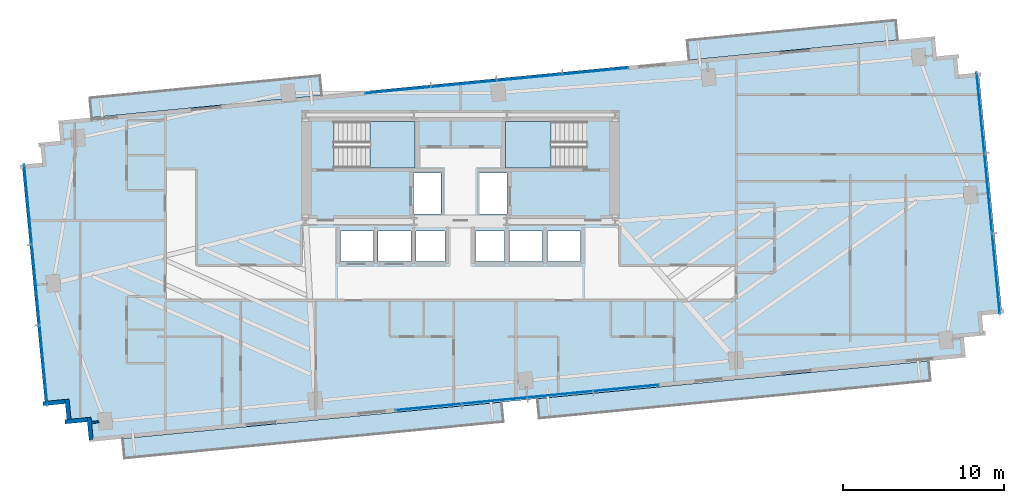
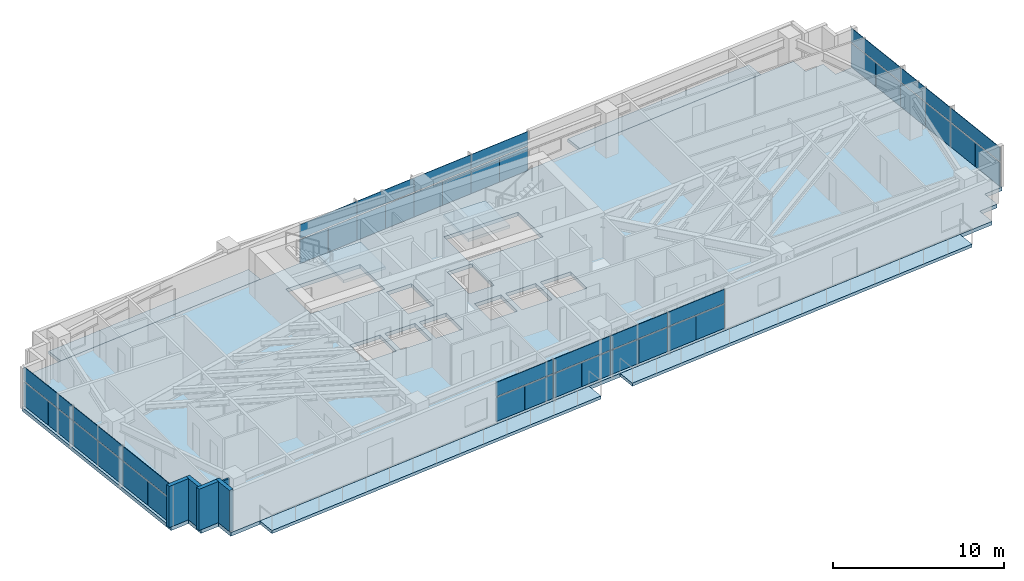
# One storey, part 20 of 27: 42 plates, 7 slabs, 5 walls, 6 elements without a shape of their own.
"""IFC4 building model written with IfcOpenShell, lengths in metres."""

from ifc_helpers import new_model, si_unit, direction, frame, frame_2d, origin, origin_2d, place, context, subcontext, project, spatial, polyline, rectangle, outline, extrude, source, transform, mapped, material, layer, layer_set, type_object, type_shapes, element, aggregate, save


model = new_model("IFC4")

# Units and contexts
model_context = context("Model", 3, precision=1e-05, world=origin(), true_north=direction((0.0, 1.0)))
body_context = subcontext(model_context, "Body", "Model", "MODEL_VIEW")
ifc_project = project(units=[si_unit("LENGTHUNIT", "METRE"), si_unit("AREAUNIT", "SQUARE_METRE"), si_unit("VOLUMEUNIT", "CUBIC_METRE"), si_unit("PLANEANGLEUNIT", "RADIAN"), si_unit("MASSUNIT", "GRAM", prefix="KILO")], contexts=[model_context])

# Site, building, storey
site_placement = place(None, origin())
site = spatial("IfcSite", under=ifc_project, at=site_placement, CompositionType="ELEMENT")
building_placement = place(site_placement, origin())
building = spatial("IfcBuilding", under=site, at=building_placement, Name="Astriad Promenade Condominiums", CompositionType="ELEMENT")
storey_placement = place(building_placement, frame((0.0, 0.0, 87.39990234375)))
storey = spatial("IfcBuildingStorey", under=building, at=storey_placement, Name="L24", CompositionType="ELEMENT", Elevation=87.39990234375)

# Slab
ifc_material_1 = material(Name="Concrete C50/60", Category="concrete")
ifc_layer_1 = layer(ifc_material_1, 0.260009765625)
ifc_layer_set_1 = layer_set([ifc_layer_1], Name="Concrete C50/60")
slab_type_1 = type_object("IfcSlabType", Name="CONCRETE TOWER FLOOR SLAB 260", PredefinedType="FLOOR", material=ifc_layer_set_1)
slab_1_placement = place(storey_placement, frame((0.0, 0.0, -0.260009765625)))
element("IfcSlab", 1, at=slab_1_placement, inside=storey, type_object=slab_type_1, Name="Structural Floor Slab (L24)", PredefinedType="FLOOR", context=body_context, shape_type="SweptSolid", body=[
    extrude(outline(polyline([(12.984130859375, 3.7294921875), (67.332763671875, 8.962646484375), (67.212890625, 10.206787109375), (68.457275390625, 10.32666015625), (68.33740234375, 11.57080078125), (69.58154296875, 11.690673828125), (68.14404296875, 26.62158203125), (66.899658203125, 26.501953125), (66.77978515625, 27.74609375), (65.53564453125, 27.626220703125), (65.416015625, 28.87060546875), (11.067138671875, 23.637451171875), (11.18701171875, 22.39306640625), (9.94287109375, 22.273193359375), (10.0625, 21.029052734375), (8.818359375, 20.9091796875), (10.256103515625, 5.978271484375), (11.500244140625, 6.09814453125), (11.6201171875, 4.85400390625), (12.8642578125, 4.9736328125), (12.984130859375, 3.7294921875)]), holes=[polyline([(28.175048828125, 20.699951171875), (33.175048828125, 20.699951171875), (33.175048828125, 23.60009765625), (28.175048828125, 23.60009765625), (28.175048828125, 20.699951171875)]), polyline([(38.824951171875, 20.699951171875), (43.824951171875, 20.699951171875), (43.824951171875, 23.60009765625), (38.824951171875, 23.60009765625), (38.824951171875, 20.699951171875)]), polyline([(33.10009765625, 17.85009765625), (34.800048828125, 17.85009765625), (34.800048828125, 20.39990234375), (33.10009765625, 20.39990234375), (33.10009765625, 17.85009765625)]), polyline([(37.199951171875, 17.85009765625), (38.89990234375, 17.85009765625), (38.89990234375, 20.39990234375), (37.199951171875, 20.39990234375), (37.199951171875, 17.85009765625)]), polyline([(28.550048828125, 14.89990234375), (30.60009765625, 14.89990234375), (30.60009765625, 16.800048828125), (28.550048828125, 16.800048828125), (28.550048828125, 14.89990234375)]), polyline([(30.89990234375, 14.89990234375), (32.949951171875, 14.89990234375), (32.949951171875, 16.800048828125), (30.89990234375, 16.800048828125), (30.89990234375, 14.89990234375)]), polyline([(33.25, 14.89990234375), (35.050048828125, 14.89990234375), (35.050048828125, 16.800048828125), (33.25, 16.800048828125), (33.25, 14.89990234375)]), polyline([(36.949951171875, 14.89990234375), (38.75, 14.89990234375), (38.75, 16.800048828125), (36.949951171875, 16.800048828125), (36.949951171875, 14.89990234375)]), polyline([(39.050048828125, 14.89990234375), (41.10009765625, 14.89990234375), (41.10009765625, 16.800048828125), (39.050048828125, 16.800048828125), (39.050048828125, 14.89990234375)]), polyline([(41.39990234375, 14.89990234375), (43.449951171875, 14.89990234375), (43.449951171875, 16.800048828125), (41.39990234375, 16.800048828125), (41.39990234375, 14.89990234375)])]), origin(), (0.0, 0.0, 1.0), 0.260009765625),
])

# Stair, slab
stair_type = type_object("IfcStairType", Name="STR-CORE-1350", PredefinedType="HALF_TURN_STAIR", material=ifc_material_1)
stair_1_placement = place(storey_placement, origin())
stair_1 = element("IfcStair", 2, at=stair_1_placement, inside=storey, type_object=stair_type, Name="L24 Enclosed Core Exit Stair ST-1", PredefinedType="HALF_TURN_STAIR")
ifc_layer_2 = layer(ifc_material_1, 0.219970703125)
ifc_layer_set_2 = layer_set([ifc_layer_2], Name="Concrete C50/60")
slab_type_2 = type_object("IfcSlabType", Name="SLB-LANDING-220", PredefinedType="LANDING", material=ifc_layer_set_2)
slab_2_placement = place(storey_placement, frame((0.0, 0.0, 1.400146484375)))
slab_2 = element("IfcSlab", 3, at=slab_2_placement, type_object=slab_type_2, Name="ST-1 landing 1", PredefinedType="LANDING", context=body_context, shape_type="SweptSolid", body=[
    extrude(outline(polyline([(30.389892578125, 20.699951171875), (33.199951171875, 20.699951171875), (33.199951171875, 23.60009765625), (30.389892578125, 23.60009765625), (30.389892578125, 20.699951171875)])), origin(), (0.0, 0.0, 1.0), 0.199951171875),
])
aggregate(stair_1, [slab_2])

stair_2_placement = place(storey_placement, origin())
stair_2 = element("IfcStair", 4, at=stair_2_placement, inside=storey, type_object=stair_type, Name="L24 Enclosed Core Exit Stair ST-2", PredefinedType="HALF_TURN_STAIR")
slab_3_placement = place(storey_placement, frame((0.0, 0.0, 1.400146484375)))
slab_3 = element("IfcSlab", 5, at=slab_3_placement, type_object=slab_type_2, Name="ST-2 landing 1", PredefinedType="LANDING", context=body_context, shape_type="SweptSolid", body=[
    extrude(outline(polyline([(41.610107421875, 23.60009765625), (38.800048828125, 23.60009765625), (38.800048828125, 20.699951171875), (41.610107421875, 20.699951171875), (41.610107421875, 23.60009765625)])), origin(), (0.0, 0.0, 1.0), 0.199951171875),
])
aggregate(stair_2, [slab_3])

# Slabs
ifc_material_2 = material(Name="Precast concrete C50/60", Category="concrete")
ifc_layer_3 = layer(ifc_material_2, 0.219970703125)
ifc_layer_set_3 = layer_set([ifc_layer_3], Name="Precast concrete C50/60")
slab_type_3 = type_object("IfcSlabType", Name="WHITE PRECAST CONCRETE WAVE BALCONY SLAB 220", PredefinedType="FLOOR", material=ifc_layer_set_3)
slab_4_placement = place(storey_placement, frame((0.0, 0.0, -0.219970703125)))
element("IfcSlab", 6, at=slab_4_placement, inside=storey, type_object=slab_type_3, Name="White Precast Wave Balcony Slab BAL-L24-SW", PredefinedType="FLOOR", context=body_context, shape_type="SweptSolid", body=[
    extrude(outline(polyline([(38.664794921875, 4.9765625), (15.174560546875, 2.714599609375), (15.057861328125, 3.927001953125), (38.548095703125, 6.18896484375), (38.664794921875, 4.9765625)])), origin(), (0.0, 0.0, 1.0), 0.219970703125),
])
slab_5_placement = place(storey_placement, frame((0.0, 0.0, -0.219970703125)))
element("IfcSlab", 7, at=slab_5_placement, inside=storey, type_object=slab_type_3, Name="White Precast Wave Balcony Slab BAL-L24-SE", PredefinedType="FLOOR", context=body_context, shape_type="SweptSolid", body=[
    extrude(outline(polyline([(65.1494140625, 7.526611328125), (40.8955078125, 5.19140625), (40.77880859375, 6.40380859375), (65.03271484375, 8.739013671875), (65.1494140625, 7.526611328125)])), origin(), (0.0, 0.0, 1.0), 0.219970703125),
])
slab_6_placement = place(storey_placement, frame((0.0, 0.0, -0.219970703125)))
element("IfcSlab", 8, at=slab_6_placement, inside=storey, type_object=slab_type_3, Name="White Precast Wave Balcony Slab BAL-L24-NW", PredefinedType="FLOOR", context=body_context, shape_type="SweptSolid", body=[
    extrude(outline(polyline([(13.023681640625, 25.051513671875), (27.28466796875, 26.424560546875), (27.401611328125, 25.212158203125), (13.140380859375, 23.839111328125), (13.023681640625, 25.051513671875)])), origin(), (0.0, 0.0, 1.0), 0.219970703125),
])
slab_7_placement = place(storey_placement, frame((0.0, 0.0, -0.219970703125)))
element("IfcSlab", 9, at=slab_7_placement, inside=storey, type_object=slab_type_3, Name="White Precast Wave Balcony Slab BAL-L24-NE", PredefinedType="FLOOR", context=body_context, shape_type="SweptSolid", body=[
    extrude(outline(polyline([(50.0693359375, 28.618408203125), (62.99853515625, 29.86328125), (63.115234375, 28.651123046875), (50.18603515625, 27.406005859375), (50.0693359375, 28.618408203125)])), origin(), (0.0, 0.0, 1.0), 0.219970703125),
])

# Curtain wall, plates
ifc_material_3 = material(Name="Anodised aluminium Black Dark Glass Unitised", Category="aluminium")
curtain_wall_type = type_object("IfcCurtainWallType", Name="CW-B2-DARK", PredefinedType="USERDEFINED", material=ifc_material_3)
curtain_wall_1_placement = place(storey_placement, origin())
curtain_wall_1 = element("IfcCurtainWall", 10, at=curtain_wall_1_placement, inside=storey, type_object=curtain_wall_type, Name="CW-L24-W", ObjectType="UNITISED_CURTAIN_WALL", PredefinedType="USERDEFINED")
ifc_material_4 = material(Name="Dark Tinted Low-E Laminated Glass", Category="glass")
ifc_layer_4 = layer(ifc_material_4, 0.035888671875)
ifc_layer_set_4 = layer_set([ifc_layer_4], Name="Dark Tinted Low-E Laminated Glass")
plate_type = type_object("IfcPlateType", Name="PNL-DARK-GLASS-36", PredefinedType="CURTAIN_PANEL", material=ifc_layer_set_4)
shared_shape_1 = source(origin(), body_context, "Body", "SweptSolid", [
    extrude(rectangle(XDim=2.488037109375, YDim=0.035888671875, at=origin_2d()), origin(), (0.0, 0.0, 1.0), 1.702880859375),
])
plate_1_placement = place(storey_placement, frame((10.265625, 7.235107421875, 0.080078125), z_axis=(0.0, 0.0, 1.0), x_axis=(-0.09584575252, 0.995396198367, 0.0)))
plate_1 = element("IfcPlate", 11, at=plate_1_placement, type_object=plate_type, Name="CW-L24-W-PNL-00-VL", PredefinedType="CURTAIN_PANEL", context=body_context, shape_type="MappedRepresentation", body=[
    mapped(shared_shape_1, transform((0.0, 0.0, 0.0), scale=1.0)),
])
plate_2_placement = place(storey_placement, frame((10.02587890625, 9.723388671875, 0.080078125), z_axis=(0.0, 0.0, 1.0), x_axis=(-0.09584575252, 0.995396198367, 0.0)))
plate_2 = element("IfcPlate", 12, at=plate_2_placement, type_object=plate_type, Name="CW-L24-W-PNL-00-VR", PredefinedType="CURTAIN_PANEL", context=body_context, shape_type="MappedRepresentation", body=[
    mapped(shared_shape_1, transform((0.0, 0.0, 0.0), scale=1.0)),
])
plate_3_placement = place(storey_placement, frame((9.786376953125, 12.212158203125, 0.080078125), z_axis=(0.0, 0.0, 1.0), x_axis=(-0.09584575252, 0.995396198367, 0.0)))
plate_3 = element("IfcPlate", 13, at=plate_3_placement, type_object=plate_type, Name="CW-L24-W-PNL-01-VL", PredefinedType="CURTAIN_PANEL", context=body_context, shape_type="MappedRepresentation", body=[
    mapped(shared_shape_1, transform((0.0, 0.0, 0.0), scale=1.0)),
])
plate_4_placement = place(storey_placement, frame((9.546875, 14.700439453125, 0.080078125), z_axis=(0.0, 0.0, 1.0), x_axis=(-0.09584575252, 0.995396198367, 0.0)))
plate_4 = element("IfcPlate", 14, at=plate_4_placement, type_object=plate_type, Name="CW-L24-W-PNL-01-VR", PredefinedType="CURTAIN_PANEL", context=body_context, shape_type="MappedRepresentation", body=[
    mapped(shared_shape_1, transform((0.0, 0.0, 0.0), scale=1.0)),
])
plate_5_placement = place(storey_placement, frame((9.30712890625, 17.189208984375, 0.080078125), z_axis=(0.0, 0.0, 1.0), x_axis=(-0.09584575252, 0.995396198367, 0.0)))
plate_5 = element("IfcPlate", 15, at=plate_5_placement, type_object=plate_type, Name="CW-L24-W-PNL-02-VL", PredefinedType="CURTAIN_PANEL", context=body_context, shape_type="MappedRepresentation", body=[
    mapped(shared_shape_1, transform((0.0, 0.0, 0.0), scale=1.0)),
])
plate_6_placement = place(storey_placement, frame((9.067626953125, 19.677490234375, 0.080078125), z_axis=(0.0, 0.0, 1.0), x_axis=(-0.09584575252, 0.995396198367, 0.0)))
plate_6 = element("IfcPlate", 16, at=plate_6_placement, type_object=plate_type, Name="CW-L24-W-PNL-02-VR", PredefinedType="CURTAIN_PANEL", context=body_context, shape_type="MappedRepresentation", body=[
    mapped(shared_shape_1, transform((0.0, 0.0, 0.0), scale=1.0)),
])

curtain_wall_2_placement = place(storey_placement, origin())
curtain_wall_2 = element("IfcCurtainWall", 17, at=curtain_wall_2_placement, inside=storey, type_object=curtain_wall_type, Name="CW-L24-E", ObjectType="UNITISED_CURTAIN_WALL", PredefinedType="USERDEFINED")
plate_7_placement = place(storey_placement, frame((68.134521484375, 25.364990234375, 0.080078125), z_axis=(0.0, 0.0, 1.0), x_axis=(0.09584575252, -0.995396198367, 0.0)))
plate_7 = element("IfcPlate", 18, at=plate_7_placement, type_object=plate_type, Name="CW-L24-E-PNL-00-VL", PredefinedType="CURTAIN_PANEL", context=body_context, shape_type="MappedRepresentation", body=[
    mapped(shared_shape_1, transform((0.0, 0.0, 0.0), scale=1.0)),
])
plate_8_placement = place(storey_placement, frame((68.3740234375, 22.87646484375, 0.080078125), z_axis=(0.0, 0.0, 1.0), x_axis=(0.09584575252, -0.995396198367, 0.0)))
plate_8 = element("IfcPlate", 19, at=plate_8_placement, type_object=plate_type, Name="CW-L24-E-PNL-00-VR", PredefinedType="CURTAIN_PANEL", context=body_context, shape_type="MappedRepresentation", body=[
    mapped(shared_shape_1, transform((0.0, 0.0, 0.0), scale=1.0)),
])
plate_9_placement = place(storey_placement, frame((68.613525390625, 20.387939453125, 0.080078125), z_axis=(0.0, 0.0, 1.0), x_axis=(0.09584575252, -0.995396198367, 0.0)))
plate_9 = element("IfcPlate", 20, at=plate_9_placement, type_object=plate_type, Name="CW-L24-E-PNL-01-VL", PredefinedType="CURTAIN_PANEL", context=body_context, shape_type="MappedRepresentation", body=[
    mapped(shared_shape_1, transform((0.0, 0.0, 0.0), scale=1.0)),
])
plate_10_placement = place(storey_placement, frame((68.853271484375, 17.8994140625, 0.080078125), z_axis=(0.0, 0.0, 1.0), x_axis=(0.09584575252, -0.995396198367, 0.0)))
plate_10 = element("IfcPlate", 21, at=plate_10_placement, type_object=plate_type, Name="CW-L24-E-PNL-01-VR", PredefinedType="CURTAIN_PANEL", context=body_context, shape_type="MappedRepresentation", body=[
    mapped(shared_shape_1, transform((0.0, 0.0, 0.0), scale=1.0)),
])
plate_11_placement = place(storey_placement, frame((69.0927734375, 15.410888671875, 0.080078125), z_axis=(0.0, 0.0, 1.0), x_axis=(0.09584575252, -0.995396198367, 0.0)))
plate_11 = element("IfcPlate", 22, at=plate_11_placement, type_object=plate_type, Name="CW-L24-E-PNL-02-VL", PredefinedType="CURTAIN_PANEL", context=body_context, shape_type="MappedRepresentation", body=[
    mapped(shared_shape_1, transform((0.0, 0.0, 0.0), scale=1.0)),
])
plate_12_placement = place(storey_placement, frame((69.33251953125, 12.922607421875, 0.080078125), z_axis=(0.0, 0.0, 1.0), x_axis=(0.09584575252, -0.995396198367, 0.0)))
plate_12 = element("IfcPlate", 23, at=plate_12_placement, type_object=plate_type, Name="CW-L24-E-PNL-02-VR", PredefinedType="CURTAIN_PANEL", context=body_context, shape_type="MappedRepresentation", body=[
    mapped(shared_shape_1, transform((0.0, 0.0, 0.0), scale=1.0)),
])

# Plate
shared_shape_2 = source(origin(), body_context, "Body", "SweptSolid", [
    extrude(rectangle(XDim=4.988037109375, YDim=0.035888671875, at=origin_2d()), origin(), (0.0, 0.0, 1.0), 0.997314453125),
])
plate_13_placement = place(storey_placement, frame((10.145751953125, 8.479248046875, 1.86279296875), z_axis=(0.0, 0.0, 1.0), x_axis=(-0.09584575252, 0.995396198367, 0.0)))
plate_13 = element("IfcPlate", 24, at=plate_13_placement, type_object=plate_type, Name="CW-L24-W-PNL-00-S", PredefinedType="CURTAIN_PANEL", context=body_context, shape_type="MappedRepresentation", body=[
    mapped(shared_shape_2, transform((0.0, 0.0, 0.0), scale=1.0)),
])

plate_14_placement = place(storey_placement, frame((9.66650390625, 13.456298828125, 1.86279296875), z_axis=(0.0, 0.0, 1.0), x_axis=(-0.09584575252, 0.995396198367, 0.0)))
plate_14 = element("IfcPlate", 25, at=plate_14_placement, type_object=plate_type, Name="CW-L24-W-PNL-01-S", PredefinedType="CURTAIN_PANEL", context=body_context, shape_type="MappedRepresentation", body=[
    mapped(shared_shape_2, transform((0.0, 0.0, 0.0), scale=1.0)),
])

plate_15_placement = place(storey_placement, frame((9.1875, 18.433349609375, 1.86279296875), z_axis=(0.0, 0.0, 1.0), x_axis=(-0.09584575252, 0.995396198367, 0.0)))
plate_15 = element("IfcPlate", 26, at=plate_15_placement, type_object=plate_type, Name="CW-L24-W-PNL-02-S", PredefinedType="CURTAIN_PANEL", context=body_context, shape_type="MappedRepresentation", body=[
    mapped(shared_shape_2, transform((0.0, 0.0, 0.0), scale=1.0)),
])

aggregate(curtain_wall_1, [plate_1, plate_2, plate_13, plate_3, plate_4, plate_14, plate_5, plate_6, plate_15])

plate_16_placement = place(storey_placement, frame((68.254150390625, 24.12060546875, 1.86279296875), z_axis=(0.0, 0.0, 1.0), x_axis=(0.09584575252, -0.995396198367, 0.0)))
plate_16 = element("IfcPlate", 27, at=plate_16_placement, type_object=plate_type, Name="CW-L24-E-PNL-00-S", PredefinedType="CURTAIN_PANEL", context=body_context, shape_type="MappedRepresentation", body=[
    mapped(shared_shape_2, transform((0.0, 0.0, 0.0), scale=1.0)),
])

plate_17_placement = place(storey_placement, frame((68.7333984375, 19.143798828125, 1.86279296875), z_axis=(0.0, 0.0, 1.0), x_axis=(0.09584575252, -0.995396198367, 0.0)))
plate_17 = element("IfcPlate", 28, at=plate_17_placement, type_object=plate_type, Name="CW-L24-E-PNL-01-S", PredefinedType="CURTAIN_PANEL", context=body_context, shape_type="MappedRepresentation", body=[
    mapped(shared_shape_2, transform((0.0, 0.0, 0.0), scale=1.0)),
])

plate_18_placement = place(storey_placement, frame((69.212646484375, 14.166748046875, 1.86279296875), z_axis=(0.0, 0.0, 1.0), x_axis=(0.09584575252, -0.995396198367, 0.0)))
plate_18 = element("IfcPlate", 29, at=plate_18_placement, type_object=plate_type, Name="CW-L24-E-PNL-02-S", PredefinedType="CURTAIN_PANEL", context=body_context, shape_type="MappedRepresentation", body=[
    mapped(shared_shape_2, transform((0.0, 0.0, 0.0), scale=1.0)),
])

aggregate(curtain_wall_2, [plate_7, plate_8, plate_16, plate_9, plate_10, plate_17, plate_11, plate_12, plate_18])

# Curtain wall, plates
curtain_wall_3_placement = place(storey_placement, origin())
curtain_wall_3 = element("IfcCurtainWall", 30, at=curtain_wall_3_placement, inside=storey, type_object=curtain_wall_type, Name="CW-L24-N", ObjectType="UNITISED_CURTAIN_WALL", PredefinedType="USERDEFINED")
shared_shape_3 = source(origin(), body_context, "Body", "SweptSolid", [
    extrude(rectangle(XDim=2.035400390625, YDim=0.035888671875, at=origin_2d()), origin(), (0.0, 0.0, 1.0), 1.702880859375),
])
plate_19_placement = place(storey_placement, frame((31.12060546875, 25.437744140625, 0.080078125), z_axis=(0.0, 0.0, 1.0), x_axis=(0.995396198367, 0.09584575252, 0.0)))
plate_19 = element("IfcPlate", 31, at=plate_19_placement, type_object=plate_type, Name="CW-L24-N-PNL-00-VL", PredefinedType="CURTAIN_PANEL", context=body_context, shape_type="MappedRepresentation", body=[
    mapped(shared_shape_3, transform((0.0, 0.0, 0.0), scale=1.0)),
])
plate_20_placement = place(storey_placement, frame((33.15869140625, 25.634033203125, 0.080078125), z_axis=(0.0, 0.0, 1.0), x_axis=(0.995396198367, 0.09584575252, 0.0)))
plate_20 = element("IfcPlate", 32, at=plate_20_placement, type_object=plate_type, Name="CW-L24-N-PNL-00-VR", PredefinedType="CURTAIN_PANEL", context=body_context, shape_type="MappedRepresentation", body=[
    mapped(shared_shape_3, transform((0.0, 0.0, 0.0), scale=1.0)),
])
plate_21_placement = place(storey_placement, frame((35.19677734375, 25.830078125, 0.080078125), z_axis=(0.0, 0.0, 1.0), x_axis=(0.995396198367, 0.09584575252, 0.0)))
plate_21 = element("IfcPlate", 33, at=plate_21_placement, type_object=plate_type, Name="CW-L24-N-PNL-01-VL", PredefinedType="CURTAIN_PANEL", context=body_context, shape_type="MappedRepresentation", body=[
    mapped(shared_shape_3, transform((0.0, 0.0, 0.0), scale=1.0)),
])
plate_22_placement = place(storey_placement, frame((37.23486328125, 26.026611328125, 0.080078125), z_axis=(0.0, 0.0, 1.0), x_axis=(0.995396198367, 0.09584575252, 0.0)))
plate_22 = element("IfcPlate", 34, at=plate_22_placement, type_object=plate_type, Name="CW-L24-N-PNL-01-VR", PredefinedType="CURTAIN_PANEL", context=body_context, shape_type="MappedRepresentation", body=[
    mapped(shared_shape_3, transform((0.0, 0.0, 0.0), scale=1.0)),
])
plate_23_placement = place(storey_placement, frame((39.27294921875, 26.22265625, 0.080078125), z_axis=(0.0, 0.0, 1.0), x_axis=(0.995396198367, 0.09584575252, 0.0)))
plate_23 = element("IfcPlate", 35, at=plate_23_placement, type_object=plate_type, Name="CW-L24-N-PNL-02-VL", PredefinedType="CURTAIN_PANEL", context=body_context, shape_type="MappedRepresentation", body=[
    mapped(shared_shape_3, transform((0.0, 0.0, 0.0), scale=1.0)),
])
plate_24_placement = place(storey_placement, frame((41.31103515625, 26.4189453125, 0.080078125), z_axis=(0.0, 0.0, 1.0), x_axis=(0.995396198367, 0.09584575252, 0.0)))
plate_24 = element("IfcPlate", 36, at=plate_24_placement, type_object=plate_type, Name="CW-L24-N-PNL-02-VR", PredefinedType="CURTAIN_PANEL", context=body_context, shape_type="MappedRepresentation", body=[
    mapped(shared_shape_3, transform((0.0, 0.0, 0.0), scale=1.0)),
])
plate_25_placement = place(storey_placement, frame((43.34912109375, 26.615234375, 0.080078125), z_axis=(0.0, 0.0, 1.0), x_axis=(0.995396198367, 0.09584575252, 0.0)))
plate_25 = element("IfcPlate", 37, at=plate_25_placement, type_object=plate_type, Name="CW-L24-N-PNL-03-VL", PredefinedType="CURTAIN_PANEL", context=body_context, shape_type="MappedRepresentation", body=[
    mapped(shared_shape_3, transform((0.0, 0.0, 0.0), scale=1.0)),
])
plate_26_placement = place(storey_placement, frame((45.38720703125, 26.8115234375, 0.080078125), z_axis=(0.0, 0.0, 1.0), x_axis=(0.995396198367, 0.09584575252, 0.0)))
plate_26 = element("IfcPlate", 38, at=plate_26_placement, type_object=plate_type, Name="CW-L24-N-PNL-03-VR", PredefinedType="CURTAIN_PANEL", context=body_context, shape_type="MappedRepresentation", body=[
    mapped(shared_shape_3, transform((0.0, 0.0, 0.0), scale=1.0)),
])

curtain_wall_4_placement = place(storey_placement, origin())
curtain_wall_4 = element("IfcCurtainWall", 39, at=curtain_wall_4_placement, inside=storey, type_object=curtain_wall_type, Name="CW-L24-S", ObjectType="UNITISED_CURTAIN_WALL", PredefinedType="USERDEFINED")
plate_27_placement = place(storey_placement, frame((47.279296875, 7.162353515625, 0.080078125), z_axis=(0.0, 0.0, 1.0), x_axis=(-0.995396198367, -0.09584575252, 0.0)))
plate_27 = element("IfcPlate", 40, at=plate_27_placement, type_object=plate_type, Name="CW-L24-S-PNL-00-VL", PredefinedType="CURTAIN_PANEL", context=body_context, shape_type="MappedRepresentation", body=[
    mapped(shared_shape_3, transform((0.0, 0.0, 0.0), scale=1.0)),
])
plate_28_placement = place(storey_placement, frame((45.2412109375, 6.966064453125, 0.080078125), z_axis=(0.0, 0.0, 1.0), x_axis=(-0.995396198367, -0.09584575252, 0.0)))
plate_28 = element("IfcPlate", 41, at=plate_28_placement, type_object=plate_type, Name="CW-L24-S-PNL-00-VR", PredefinedType="CURTAIN_PANEL", context=body_context, shape_type="MappedRepresentation", body=[
    mapped(shared_shape_3, transform((0.0, 0.0, 0.0), scale=1.0)),
])
plate_29_placement = place(storey_placement, frame((43.203125, 6.769775390625, 0.080078125), z_axis=(0.0, 0.0, 1.0), x_axis=(-0.995396198367, -0.09584575252, 0.0)))
plate_29 = element("IfcPlate", 42, at=plate_29_placement, type_object=plate_type, Name="CW-L24-S-PNL-01-VL", PredefinedType="CURTAIN_PANEL", context=body_context, shape_type="MappedRepresentation", body=[
    mapped(shared_shape_3, transform((0.0, 0.0, 0.0), scale=1.0)),
])
plate_30_placement = place(storey_placement, frame((41.1650390625, 6.573486328125, 0.080078125), z_axis=(0.0, 0.0, 1.0), x_axis=(-0.995396198367, -0.09584575252, 0.0)))
plate_30 = element("IfcPlate", 43, at=plate_30_placement, type_object=plate_type, Name="CW-L24-S-PNL-01-VR", PredefinedType="CURTAIN_PANEL", context=body_context, shape_type="MappedRepresentation", body=[
    mapped(shared_shape_3, transform((0.0, 0.0, 0.0), scale=1.0)),
])
plate_31_placement = place(storey_placement, frame((39.126953125, 6.377197265625, 0.080078125), z_axis=(0.0, 0.0, 1.0), x_axis=(-0.995396198367, -0.09584575252, 0.0)))
plate_31 = element("IfcPlate", 44, at=plate_31_placement, type_object=plate_type, Name="CW-L24-S-PNL-02-VL", PredefinedType="CURTAIN_PANEL", context=body_context, shape_type="MappedRepresentation", body=[
    mapped(shared_shape_3, transform((0.0, 0.0, 0.0), scale=1.0)),
])
plate_32_placement = place(storey_placement, frame((37.0888671875, 6.180908203125, 0.080078125), z_axis=(0.0, 0.0, 1.0), x_axis=(-0.995396198367, -0.09584575252, 0.0)))
plate_32 = element("IfcPlate", 45, at=plate_32_placement, type_object=plate_type, Name="CW-L24-S-PNL-02-VR", PredefinedType="CURTAIN_PANEL", context=body_context, shape_type="MappedRepresentation", body=[
    mapped(shared_shape_3, transform((0.0, 0.0, 0.0), scale=1.0)),
])
plate_33_placement = place(storey_placement, frame((35.05078125, 5.98486328125, 0.080078125), z_axis=(0.0, 0.0, 1.0), x_axis=(-0.995396198367, -0.09584575252, 0.0)))
plate_33 = element("IfcPlate", 46, at=plate_33_placement, type_object=plate_type, Name="CW-L24-S-PNL-03-VL", PredefinedType="CURTAIN_PANEL", context=body_context, shape_type="MappedRepresentation", body=[
    mapped(shared_shape_3, transform((0.0, 0.0, 0.0), scale=1.0)),
])
plate_34_placement = place(storey_placement, frame((33.0126953125, 5.78857421875, 0.080078125), z_axis=(0.0, 0.0, 1.0), x_axis=(-0.995396198367, -0.09584575252, 0.0)))
plate_34 = element("IfcPlate", 47, at=plate_34_placement, type_object=plate_type, Name="CW-L24-S-PNL-03-VR", PredefinedType="CURTAIN_PANEL", context=body_context, shape_type="MappedRepresentation", body=[
    mapped(shared_shape_3, transform((0.0, 0.0, 0.0), scale=1.0)),
])

# Plate
shared_shape_4 = source(origin(), body_context, "Body", "SweptSolid", [
    extrude(rectangle(XDim=4.0830078125, YDim=0.035888671875, at=origin_2d()), origin(), (0.0, 0.0, 1.0), 0.997314453125),
])
type_shapes(plate_type, [shared_shape_1, shared_shape_2, shared_shape_3, shared_shape_4])
plate_35_placement = place(storey_placement, frame((32.1396484375, 25.535888671875, 1.86279296875), z_axis=(0.0, 0.0, 1.0), x_axis=(0.995396198367, 0.09584575252, 0.0)))
plate_35 = element("IfcPlate", 48, at=plate_35_placement, type_object=plate_type, Name="CW-L24-N-PNL-00-S", PredefinedType="CURTAIN_PANEL", context=body_context, shape_type="MappedRepresentation", body=[
    mapped(shared_shape_4, transform((0.0, 0.0, 0.0), scale=1.0)),
])

plate_36_placement = place(storey_placement, frame((36.2158203125, 25.928466796875, 1.86279296875), z_axis=(0.0, 0.0, 1.0), x_axis=(0.995396198367, 0.09584575252, 0.0)))
plate_36 = element("IfcPlate", 49, at=plate_36_placement, type_object=plate_type, Name="CW-L24-N-PNL-01-S", PredefinedType="CURTAIN_PANEL", context=body_context, shape_type="MappedRepresentation", body=[
    mapped(shared_shape_4, transform((0.0, 0.0, 0.0), scale=1.0)),
])

plate_37_placement = place(storey_placement, frame((40.2919921875, 26.32080078125, 1.86279296875), z_axis=(0.0, 0.0, 1.0), x_axis=(0.995396198367, 0.09584575252, 0.0)))
plate_37 = element("IfcPlate", 50, at=plate_37_placement, type_object=plate_type, Name="CW-L24-N-PNL-02-S", PredefinedType="CURTAIN_PANEL", context=body_context, shape_type="MappedRepresentation", body=[
    mapped(shared_shape_4, transform((0.0, 0.0, 0.0), scale=1.0)),
])

plate_38_placement = place(storey_placement, frame((44.368408203125, 26.71337890625, 1.86279296875), z_axis=(0.0, 0.0, 1.0), x_axis=(0.995396198367, 0.09584575252, 0.0)))
plate_38 = element("IfcPlate", 51, at=plate_38_placement, type_object=plate_type, Name="CW-L24-N-PNL-03-S", PredefinedType="CURTAIN_PANEL", context=body_context, shape_type="MappedRepresentation", body=[
    mapped(shared_shape_4, transform((0.0, 0.0, 0.0), scale=1.0)),
])

aggregate(curtain_wall_3, [plate_19, plate_20, plate_35, plate_21, plate_22, plate_36, plate_23, plate_24, plate_37, plate_25, plate_26, plate_38])

plate_39_placement = place(storey_placement, frame((46.26025390625, 7.064208984375, 1.86279296875), z_axis=(0.0, 0.0, 1.0), x_axis=(-0.995396198367, -0.09584575252, 0.0)))
plate_39 = element("IfcPlate", 52, at=plate_39_placement, type_object=plate_type, Name="CW-L24-S-PNL-00-S", PredefinedType="CURTAIN_PANEL", context=body_context, shape_type="MappedRepresentation", body=[
    mapped(shared_shape_4, transform((0.0, 0.0, 0.0), scale=1.0)),
])

plate_40_placement = place(storey_placement, frame((42.18408203125, 6.671630859375, 1.86279296875), z_axis=(0.0, 0.0, 1.0), x_axis=(-0.995396198367, -0.09584575252, 0.0)))
plate_40 = element("IfcPlate", 53, at=plate_40_placement, type_object=plate_type, Name="CW-L24-S-PNL-01-S", PredefinedType="CURTAIN_PANEL", context=body_context, shape_type="MappedRepresentation", body=[
    mapped(shared_shape_4, transform((0.0, 0.0, 0.0), scale=1.0)),
])

plate_41_placement = place(storey_placement, frame((38.10791015625, 6.279052734375, 1.86279296875), z_axis=(0.0, 0.0, 1.0), x_axis=(-0.995396198367, -0.09584575252, 0.0)))
plate_41 = element("IfcPlate", 54, at=plate_41_placement, type_object=plate_type, Name="CW-L24-S-PNL-02-S", PredefinedType="CURTAIN_PANEL", context=body_context, shape_type="MappedRepresentation", body=[
    mapped(shared_shape_4, transform((0.0, 0.0, 0.0), scale=1.0)),
])

plate_42_placement = place(storey_placement, frame((34.03173828125, 5.88671875, 1.86279296875), z_axis=(0.0, 0.0, 1.0), x_axis=(-0.995396198367, -0.09584575252, 0.0)))
plate_42 = element("IfcPlate", 55, at=plate_42_placement, type_object=plate_type, Name="CW-L24-S-PNL-03-S", PredefinedType="CURTAIN_PANEL", context=body_context, shape_type="MappedRepresentation", body=[
    mapped(shared_shape_4, transform((0.0, 0.0, 0.0), scale=1.0)),
])

aggregate(curtain_wall_4, [plate_27, plate_28, plate_39, plate_29, plate_30, plate_40, plate_31, plate_32, plate_41, plate_33, plate_34, plate_42])

# Walls
ifc_layer_5 = layer(ifc_material_2, 0.260009765625)
ifc_layer_set_5 = layer_set([ifc_layer_5], Name="Precast concrete C50/60")
wall_type_1 = type_object("IfcWallType", Name="WALL-EXT-TWR-260", PredefinedType="STANDARD", material=ifc_layer_set_5)
for number, where, z_axis, x_axis, name in (
    (56, (12.86669921875, 5.1044921875, 0.0), (0.0, 0.0, 1.0), (-0.995389446633, -0.095915846097, 0.0), "W-SER-L24-00"),
    (57, (11.738525390625, 4.98095703125, 0.0), (0.0, 0.0, 1.0), (-0.095915846097, 0.995389446633, 0.0), "W-SER-L24-01"),
):
    element("IfcWall", number, at=place(storey_placement, frame(where, z_axis=z_axis, x_axis=x_axis)), inside=storey, type_object=wall_type_1, Name=name, PredefinedType="STANDARD", context=body_context, shape_type="SweptSolid", body=[
        extrude(rectangle(XDim=1.394775390625, YDim=0.260009765625, at=frame_2d((0.697265625, 0.0))), origin(), (0.0, 0.0, 1.0), 2.940185546875),
    ])
for number, where, z_axis, x_axis, name in (
    (58, (11.502685546875, 6.22900390625, 0.0), (0.0, 0.0, 1.0), (-0.995391056452, -0.09589913835, 0.0), "W-SER-L24-02"),
    (59, (13.1025390625, 3.8564453125, 0.0), (0.0, 0.0, 1.0), (-0.09589913835, 0.995391056452, 0.0), "W-SER-L24-19"),
):
    element("IfcWall", number, at=place(storey_placement, frame(where, z_axis=z_axis, x_axis=x_axis)), inside=storey, type_object=wall_type_1, Name=name, PredefinedType="STANDARD", context=body_context, shape_type="SweptSolid", body=[
        extrude(rectangle(XDim=1.39501953125, YDim=0.260009765625, at=frame_2d((0.697509765625, 0.0))), origin(), (0.0, 0.0, 1.0), 2.940185546875),
    ])
ifc_material_5 = material(Name="Acoustic Metal-Stud Gypsum Partition")
ifc_layer_6 = layer(ifc_material_5, 0.1201171875)
ifc_layer_set_6 = layer_set([ifc_layer_6], Name="Acoustic Metal-Stud Gypsum Partition")
wall_type_2 = type_object("IfcWallType", Name="WALL-PART-120", PredefinedType="PARTITIONING", material=ifc_layer_set_6)
wall_placement = place(storey_placement, frame((13.587646484375, 4.972900390625, 0.0), z_axis=(0.0, 0.0, 1.0), x_axis=(-0.995435366701, -0.095438098896, 0.0)))
element("IfcWall", 60, at=wall_placement, inside=storey, type_object=wall_type_2, Name="PT-PIL-L24-PC01-8", PredefinedType="PARTITIONING", context=body_context, shape_type="SweptSolid", body=[
    extrude(rectangle(XDim=0.4580078125, YDim=0.1201171875, at=frame_2d((0.22900390625, 0.0))), origin(), (0.0, 0.0, 1.0), 2.940185546875),
])

save(model, "model.ifc")
